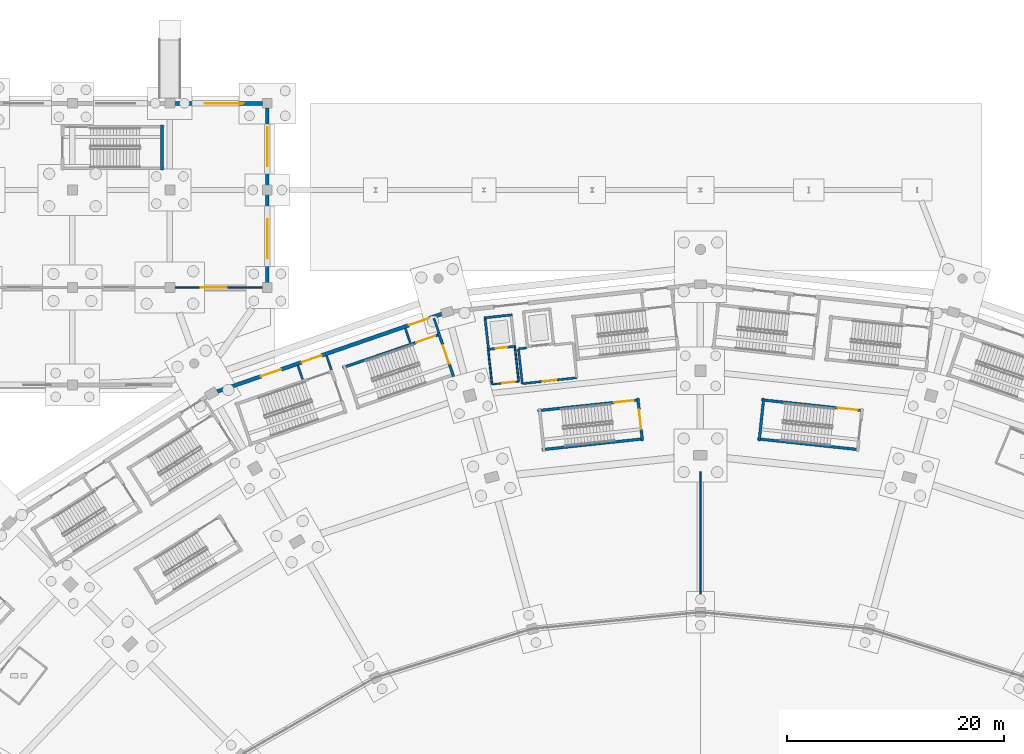
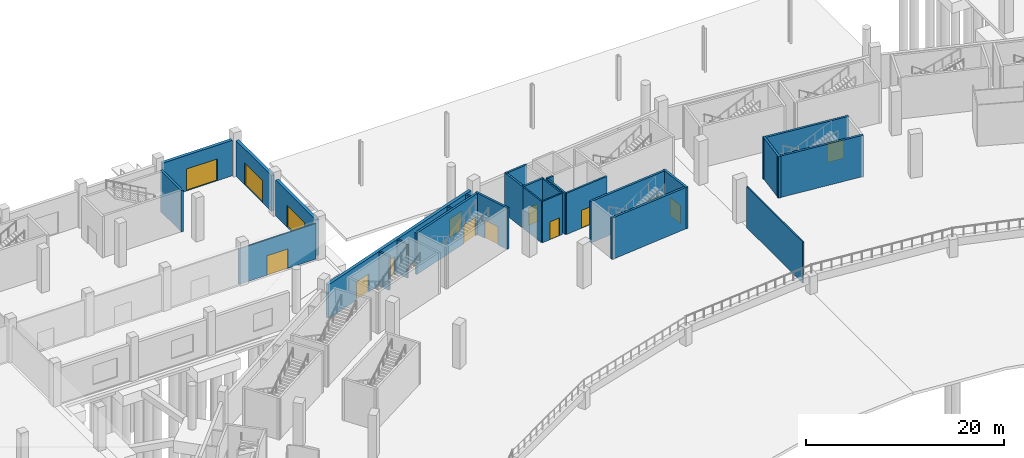
# One storey, part 45 of 103: 28 walls, 15 doors, 15 openings.
"""IFC4 building model written with IfcOpenShell, lengths in metres."""

from ifc_helpers import new_model, si_unit, direction, frame, frame_2d, origin, place, context, subcontext, project, spatial, rectangle, extrude, material, layer, layer_set, type_object, element, fill, save


model = new_model("IFC4")

# Units and contexts
model_context = context("Model", 3, precision=1e-05, world=origin(), true_north=direction((0.0, 1.0)))
body_context = subcontext(model_context, "Body", "Model", "MODEL_VIEW")
ifc_project = project(units=[si_unit("LENGTHUNIT", "METRE"), si_unit("AREAUNIT", "SQUARE_METRE"), si_unit("VOLUMEUNIT", "CUBIC_METRE"), si_unit("PLANEANGLEUNIT", "RADIAN"), si_unit("MASSUNIT", "GRAM", prefix="KILO")], contexts=[model_context])

# Site, building, storey
site_placement = place(None, origin())
site = spatial("IfcSite", under=ifc_project, at=site_placement, CompositionType="ELEMENT")
building_placement = place(site_placement, origin())
building = spatial("IfcBuilding", under=site, at=building_placement, Name="Zevraka Park Crest Stadium", CompositionType="ELEMENT")
storey_placement = place(building_placement, origin())
storey = spatial("IfcBuildingStorey", under=building, at=storey_placement, Name="L00", CompositionType="ELEMENT", Elevation=0.0)

# Wall, openings, doors
ifc_material_1 = material(Name="Limestone and red clay brick masonry", Category="masonry")
ifc_layer_1 = layer(ifc_material_1, 0.35009765625)
ifc_layer_set_1 = layer_set([ifc_layer_1], Name="Limestone and red clay brick masonry")
wall_type_1 = type_object("IfcWallType", Name="EW01", PredefinedType="STANDARD", material=ifc_layer_set_1)
wall_1_placement = place(storey_placement, frame((67.35595703125, 157.386962890625, 0.0), z_axis=(0.0, 0.0, 1.0), x_axis=(0.945215757663, 0.326446276538, 0.0)))
wall_1 = element("IfcWall", 1, at=wall_1_placement, inside=storey, type_object=wall_type_1, Name="L00 Pointed-Arch Colonnade Wall EW01 07", PredefinedType="STANDARD", context=body_context, shape_type="SweptSolid", body=[
    extrude(rectangle(XDim=21.979248046875, YDim=0.35009765625, at=frame_2d((10.98974609375, 0.0))), origin(), (0.0, 0.0, 1.0), 4.1650390625),
])
opening_1_placement = place(wall_1_placement, frame((18.760986328125, 0.0, 0.0)))
opening_1 = element("IfcOpeningElement", 2, at=opening_1_placement, cuts=wall_1, Name="Opening D-L00-EX-ST08", PredefinedType="OPENING", context=body_context, shape_type="SweptSolid", body=[
    extrude(rectangle(XDim=1.949951171875, YDim=2.25, at=frame_2d((0.97509765625, 1.125))), frame((0.0, 0.18505859375, 0.0), z_axis=(0.0, -1.0, 0.0), x_axis=(1.0, 0.0, 0.0)), (0.0, 0.0, 1.0), 0.3701171875),
])
opening_2_placement = place(wall_1_placement, frame((8.260986328125, 0.0, 0.0)))
opening_2 = element("IfcOpeningElement", 3, at=opening_2_placement, cuts=wall_1, Name="Opening D-L00-EX-ST27", PredefinedType="OPENING", context=body_context, shape_type="SweptSolid", body=[
    extrude(rectangle(XDim=1.949951171875, YDim=2.25, at=frame_2d((0.97509765625, 1.125))), frame((0.0, 0.18505859375, 0.0), z_axis=(0.0, -1.0, 0.0), x_axis=(1.0, 0.0, 0.0)), (0.0, 0.0, 1.0), 0.3701171875),
])
opening_3_placement = place(wall_1_placement, frame((4.300048828125, 0.0, 0.0)))
opening_3 = element("IfcOpeningElement", 4, at=opening_3_placement, cuts=wall_1, Name="Opening D-L00-E08", PredefinedType="OPENING", context=body_context, shape_type="SweptSolid", body=[
    extrude(rectangle(XDim=1.949951171875, YDim=2.25, at=frame_2d((0.97509765625, 1.125))), frame((0.0, 0.18505859375, 0.0), z_axis=(0.0, -1.0, 0.0), x_axis=(1.0, 0.0, 0.0)), (0.0, 0.0, 1.0), 0.3701171875),
])
ifc_material_2 = material(Name="Thermally broken architectural aluminium and safety glass", Category="aluminium")
door_type_1 = type_object("IfcDoorType", Name="ED05", OperationType="NOTDEFINED", PredefinedType="DOOR", material=ifc_material_2)
door_1_placement = place(opening_1_placement, origin())
door_1 = element("IfcDoor", 5, at=door_1_placement, inside=storey, type_object=door_type_1, Name="Stair Final Exit Discharge Door D-L00-EX-ST08", OperationType="DOUBLE_DOOR_SINGLE_SWING", OverallHeight=2.25, OverallWidth=1.949951171875, PredefinedType="DOOR", context=body_context, shape_type="SweptSolid", body=[
    extrude(rectangle(XDim=1.949951171875, YDim=2.25, at=frame_2d((0.97509765625, 1.125))), frame((0.0, 0.02490234375, 0.0), z_axis=(0.0, -1.0, 0.0), x_axis=(1.0, 0.0, 0.0)), (0.0, 0.0, 1.0), 0.050048828125),
])
fill(opening_1, door_1)
door_2_placement = place(opening_2_placement, origin())
door_2 = element("IfcDoor", 6, at=door_2_placement, inside=storey, type_object=door_type_1, Name="Stair Final Exit Discharge Door D-L00-EX-ST27", OperationType="DOUBLE_DOOR_SINGLE_SWING", OverallHeight=2.25, OverallWidth=1.949951171875, PredefinedType="DOOR", context=body_context, shape_type="SweptSolid", body=[
    extrude(rectangle(XDim=1.949951171875, YDim=2.25, at=frame_2d((0.97509765625, 1.125))), frame((0.0, 0.02490234375, 0.0), z_axis=(0.0, -1.0, 0.0), x_axis=(1.0, 0.0, 0.0)), (0.0, 0.0, 1.0), 0.050048828125),
])
fill(opening_2, door_2)
door_3_placement = place(opening_3_placement, origin())
door_3 = element("IfcDoor", 7, at=door_3_placement, inside=storey, type_object=door_type_1, Name="Concourse Final Exit E08", OperationType="DOUBLE_DOOR_SINGLE_SWING", OverallHeight=2.25, OverallWidth=1.949951171875, PredefinedType="DOOR", context=body_context, shape_type="SweptSolid", body=[
    extrude(rectangle(XDim=1.949951171875, YDim=2.25, at=frame_2d((0.97509765625, 1.125))), frame((0.0, 0.02490234375, 0.0), z_axis=(0.0, -1.0, 0.0), x_axis=(1.0, 0.0, 0.0)), (0.0, 0.0, 1.0), 0.050048828125),
])
fill(opening_3, door_3)

# Wall, opening, door
wall_2_placement = place(storey_placement, frame((63.425048828125, 184.0, 0.0), z_axis=(0.0, 0.0, 1.0), x_axis=(1.0, 0.0, 0.0)))
wall_2 = element("IfcWall", 8, at=wall_2_placement, inside=storey, type_object=wall_type_1, Name="Wing External Cavity Wall EW01 L00-NW-N-8", PredefinedType="STANDARD", context=body_context, shape_type="SweptSolid", body=[
    extrude(rectangle(XDim=8.14990234375, YDim=0.35009765625, at=frame_2d((4.074951171875, 0.0))), origin(), (0.0, 0.0, 1.0), 4.383544921875),
])
opening_4_placement = place(wall_2_placement, frame((2.77490234375, 0.0, 0.0)))
opening_4 = element("IfcOpeningElement", 9, at=opening_4_placement, cuts=wall_2, Name="Opening D-L00-E47", PredefinedType="OPENING", context=body_context, shape_type="SweptSolid", body=[
    extrude(rectangle(XDim=3.60009765625, YDim=2.699951171875, at=frame_2d((1.800048828125, 1.35009765625))), frame((0.0, 0.18505859375, 0.0), z_axis=(0.0, -1.0, 0.0), x_axis=(1.0, 0.0, 0.0)), (0.0, 0.0, 1.0), 0.3701171875),
])
ifc_material_3 = material(Name="Thermally broken architectural aluminium and safety glass", Category="aluminium")
door_type_2 = type_object("IfcDoorType", Name="ED01", OperationType="NOTDEFINED", PredefinedType="DOOR", material=ifc_material_3)
door_4_placement = place(opening_4_placement, origin())
door_4 = element("IfcDoor", 10, at=door_4_placement, inside=storey, type_object=door_type_2, Name="Concourse Final Exit E47", OperationType="DOUBLE_DOOR_SINGLE_SWING", OverallHeight=2.699951171875, OverallWidth=3.60009765625, PredefinedType="DOOR", context=body_context, shape_type="SweptSolid", body=[
    extrude(rectangle(XDim=3.60009765625, YDim=2.699951171875, at=frame_2d((1.800048828125, 1.35009765625))), frame((0.0, 0.02490234375, 0.0), z_axis=(0.0, -1.0, 0.0), x_axis=(1.0, 0.0, 0.0)), (0.0, 0.0, 1.0), 0.050048828125),
])
fill(opening_4, door_4)

wall_3_placement = place(storey_placement, frame((72.0, 183.574951171875, 0.0), z_axis=(0.0, 0.0, 1.0), x_axis=(0.0, -1.0, 0.0)))
wall_3 = element("IfcWall", 11, at=wall_3_placement, inside=storey, type_object=wall_type_1, Name="Wing External Cavity Wall EW01 L00-NW-E1-1", PredefinedType="STANDARD", context=body_context, shape_type="SweptSolid", body=[
    extrude(rectangle(XDim=7.14990234375, YDim=0.35009765625, at=frame_2d((3.574951171875, 0.0))), origin(), (0.0, 0.0, 1.0), 4.4169921875),
])
opening_5_placement = place(wall_3_placement, frame((1.77490234375, 0.0, 0.0)))
opening_5 = element("IfcOpeningElement", 12, at=opening_5_placement, cuts=wall_3, Name="Opening D-L00-E48", PredefinedType="OPENING", context=body_context, shape_type="SweptSolid", body=[
    extrude(rectangle(XDim=3.60009765625, YDim=2.699951171875, at=frame_2d((1.800048828125, 1.35009765625))), frame((0.0, 0.18505859375, 0.0), z_axis=(0.0, -1.0, 0.0), x_axis=(1.0, 0.0, 0.0)), (0.0, 0.0, 1.0), 0.3701171875),
])
door_5_placement = place(opening_5_placement, origin())
door_5 = element("IfcDoor", 13, at=door_5_placement, inside=storey, type_object=door_type_2, Name="Concourse Final Exit E48", OperationType="DOUBLE_DOOR_SINGLE_SWING", OverallHeight=2.699951171875, OverallWidth=3.60009765625, PredefinedType="DOOR", context=body_context, shape_type="SweptSolid", body=[
    extrude(rectangle(XDim=3.60009765625, YDim=2.699951171875, at=frame_2d((1.800048828125, 1.35009765625))), frame((0.0, 0.02490234375, 0.0), z_axis=(0.0, -1.0, 0.0), x_axis=(1.0, 0.0, 0.0)), (0.0, 0.0, 1.0), 0.050048828125),
])
fill(opening_5, door_5)

wall_4_placement = place(storey_placement, frame((72.0, 175.574951171875, 0.0), z_axis=(0.0, 0.0, 1.0), x_axis=(0.0, -1.0, 0.0)))
wall_4 = element("IfcWall", 14, at=wall_4_placement, inside=storey, type_object=wall_type_1, Name="Wing External Cavity Wall EW01 L00-NW-E1-2", PredefinedType="STANDARD", context=body_context, shape_type="SweptSolid", body=[
    extrude(rectangle(XDim=8.14990234375, YDim=0.35009765625, at=frame_2d((4.074951171875, 0.0))), origin(), (0.0, 0.0, 1.0), 4.4169921875),
])
opening_6_placement = place(wall_4_placement, frame((2.27490234375, 0.0, 0.0)))
opening_6 = element("IfcOpeningElement", 15, at=opening_6_placement, cuts=wall_4, Name="Opening D-L00-E49", PredefinedType="OPENING", context=body_context, shape_type="SweptSolid", body=[
    extrude(rectangle(XDim=3.60009765625, YDim=2.699951171875, at=frame_2d((1.800048828125, 1.35009765625))), frame((0.0, 0.18505859375, 0.0), z_axis=(0.0, -1.0, 0.0), x_axis=(1.0, 0.0, 0.0)), (0.0, 0.0, 1.0), 0.3701171875),
])
door_6_placement = place(opening_6_placement, origin())
door_6 = element("IfcDoor", 16, at=door_6_placement, inside=storey, type_object=door_type_2, Name="Concourse Final Exit E49", OperationType="DOUBLE_DOOR_SINGLE_SWING", OverallHeight=2.699951171875, OverallWidth=3.60009765625, PredefinedType="DOOR", context=body_context, shape_type="SweptSolid", body=[
    extrude(rectangle(XDim=3.60009765625, YDim=2.699951171875, at=frame_2d((1.800048828125, 1.35009765625))), frame((0.0, 0.02490234375, 0.0), z_axis=(0.0, -1.0, 0.0), x_axis=(1.0, 0.0, 0.0)), (0.0, 0.0, 1.0), 0.050048828125),
])
fill(opening_6, door_6)

# Walls
ifc_material_4 = material(Name="Autoclaved aerated masonry blockwork", Category="masonry")
ifc_layer_2 = layer(ifc_material_4, 0.199951171875)
ifc_layer_set_2 = layer_set([ifc_layer_2], Name="Autoclaved aerated masonry blockwork")
wall_type_2 = type_object("IfcWallType", Name="IW01", PredefinedType="PARTITIONING", material=ifc_layer_set_2)
wall_5_placement = place(storey_placement, frame((87.843017578125, 162.814208984375, 0.0), z_axis=(0.0, 0.0, 1.0), x_axis=(-0.326548526872, 0.945180437587, 0.0)))
element("IfcWall", 17, at=wall_5_placement, inside=storey, type_object=wall_type_2, Name="Protected Exit Passageway Wall IW01 ST08-A", PredefinedType="PARTITIONING", context=body_context, shape_type="SweptSolid", body=[
    extrude(rectangle(XDim=1.402587890625, YDim=0.199951171875, at=frame_2d((0.701171875, 0.0))), origin(), (0.0, 0.0, 1.0), 4.1650390625),
])
wall_6_placement = place(storey_placement, frame((85.19384765625, 161.906982421875, 0.0), z_axis=(0.0, 0.0, 1.0), x_axis=(-0.326599813584, 0.945162717085, 0.0)))
element("IfcWall", 18, at=wall_6_placement, inside=storey, type_object=wall_type_2, Name="Protected Exit Passageway Wall IW01 ST08-B", PredefinedType="PARTITIONING", context=body_context, shape_type="SweptSolid", body=[
    extrude(rectangle(XDim=1.3955078125, YDim=0.199951171875, at=frame_2d((0.69775390625, 0.0))), origin(), (0.0, 0.0, 1.0), 4.1650390625),
])
wall_7_placement = place(storey_placement, frame((77.908935546875, 159.4130859375, 0.0), z_axis=(0.0, 0.0, 1.0), x_axis=(-0.326488531048, 0.945201163295, 0.0)))
element("IfcWall", 19, at=wall_7_placement, inside=storey, type_object=wall_type_2, Name="Protected Exit Passageway Wall IW01 ST27-A", PredefinedType="PARTITIONING", context=body_context, shape_type="SweptSolid", body=[
    extrude(rectangle(XDim=1.375244140625, YDim=0.199951171875, at=frame_2d((0.6875, 0.0))), origin(), (0.0, 0.0, 1.0), 4.1650390625),
])
wall_8_placement = place(storey_placement, frame((75.260009765625, 158.506103515625, 0.0), z_axis=(0.0, 0.0, 1.0), x_axis=(-0.326337459961, 0.945253332301, 0.0)))
element("IfcWall", 20, at=wall_8_placement, inside=storey, type_object=wall_type_2, Name="Protected Exit Passageway Wall IW01 ST27-B", PredefinedType="PARTITIONING", context=body_context, shape_type="SweptSolid", body=[
    extrude(rectangle(XDim=1.36669921875, YDim=0.199951171875, at=frame_2d((0.683349609375, 0.0))), origin(), (0.0, 0.0, 1.0), 4.1650390625),
])
wall_9_placement = place(storey_placement, frame((95.195068359375, 161.3349609375, 0.0), z_axis=(0.0, 0.0, 1.0), x_axis=(0.994146742738, 0.108038205757, 0.0)))
element("IfcWall", 21, at=wall_9_placement, inside=storey, type_object=wall_type_2, Name="Firefighting Lift Lobby Wall IW01 FL02 L00 BACKL", PredefinedType="PARTITIONING", context=body_context, shape_type="SweptSolid", body=[
    extrude(rectangle(XDim=0.750244140625, YDim=0.199951171875, at=frame_2d((0.375, 0.0))), origin(), (0.0, 0.0, 1.0), 5.080078125),
])
wall_10_placement = place(storey_placement, frame((95.195068359375, 161.3349609375, 0.0), z_axis=(0.0, 0.0, 1.0), x_axis=(0.108280975823, -0.994120329877, 0.0)))
element("IfcWall", 22, at=wall_10_placement, inside=storey, type_object=wall_type_2, Name="Firefighting Lift Lobby Wall IW01 FL02 L00 LEFT", PredefinedType="PARTITIONING", context=body_context, shape_type="SweptSolid", body=[
    extrude(rectangle(XDim=3.239990234375, YDim=0.199951171875, at=frame_2d((1.6201171875, 0.0))), origin(), (0.0, 0.0, 1.0), 5.080078125),
])

# Wall, opening, door
wall_11_placement = place(storey_placement, frame((95.5458984375, 158.114013671875, 0.0), z_axis=(0.0, 0.0, 1.0), x_axis=(0.994118117986, 0.108301281116, 0.0)))
wall_11 = element("IfcWall", 23, at=wall_11_placement, inside=storey, type_object=wall_type_2, Name="Firefighting Lift Lobby Wall IW01 FL02 L00 FRONT", PredefinedType="PARTITIONING", context=body_context, shape_type="SweptSolid", body=[
    extrude(rectangle(XDim=5.06982421875, YDim=0.199951171875, at=frame_2d((2.534912109375, 0.0))), origin(), (0.0, 0.0, 1.0), 5.080078125),
])
opening_7_placement = place(wall_11_placement, frame((1.909912109375, 0.0, 0.0)))
opening_7 = element("IfcOpeningElement", 24, at=opening_7_placement, cuts=wall_11, Name="Opening D-L00-295", PredefinedType="OPENING", context=body_context, shape_type="SweptSolid", body=[
    extrude(rectangle(XDim=1.25, YDim=2.199951171875, at=frame_2d((0.625, 1.10009765625))), frame((0.0, 0.10986328125, 0.0), z_axis=(0.0, -1.0, 0.0), x_axis=(1.0, 0.0, 0.0)), (0.0, 0.0, 1.0), 0.219970703125),
])
ifc_material_5 = material(Name="Solid-core hardwood timber leaf in steel frame", Category="steel")
door_type_3 = type_object("IfcDoorType", Name="DR07", OperationType="NOTDEFINED", PredefinedType="DOOR", material=ifc_material_5)
door_7_placement = place(opening_7_placement, origin())
door_7 = element("IfcDoor", 25, at=door_7_placement, inside=storey, type_object=door_type_3, Name="Firefighting Lift Lobby FL02 Door D-L00-295", OperationType="SINGLE_SWING_LEFT", OverallHeight=2.199951171875, OverallWidth=1.25, PredefinedType="DOOR", context=body_context, shape_type="SweptSolid", body=[
    extrude(rectangle(XDim=1.25, YDim=2.199951171875, at=frame_2d((0.625, 1.10009765625))), frame((0.0, 0.02490234375, 0.0), z_axis=(0.0, -1.0, 0.0), x_axis=(1.0, 0.0, 0.0)), (0.0, 0.0, 1.0), 0.050048828125),
])
fill(opening_7, door_7)

# Walls
ifc_material_6 = material(Name="Fire-rated twin-stud acoustic drywall", Category="other")
ifc_layer_3 = layer(ifc_material_6, 0.159912109375)
ifc_layer_set_3 = layer_set([ifc_layer_3], Name="Fire-rated twin-stud acoustic drywall")
wall_type_3 = type_object("IfcWallType", Name="IW02", PredefinedType="PARTITIONING", material=ifc_layer_set_3)
wall_12_placement = place(storey_placement, frame((92.403076171875, 161.200927734375, 0.0), z_axis=(0.0, 0.0, 1.0), x_axis=(0.108800302456, -0.99406362683, 0.0)))
element("IfcWall", 26, at=wall_12_placement, inside=storey, type_object=wall_type_3, Name="Passenger Lift Lobby Wall IW02 PL02 L00 LEFT", PredefinedType="PARTITIONING", context=body_context, shape_type="SweptSolid", body=[
    extrude(rectangle(XDim=3.170654296875, YDim=0.159912109375, at=frame_2d((1.58544921875, 0.0))), origin(), (0.0, 0.0, 1.0), 5.080078125),
])
wall_13_placement = place(storey_placement, frame((94.868896484375, 161.469970703125, 0.0), z_axis=(0.0, 0.0, 1.0), x_axis=(0.108909733757, -0.994051643474, 0.0)))
element("IfcWall", 27, at=wall_13_placement, inside=storey, type_object=wall_type_3, Name="Passenger Lift Lobby Wall IW02 PL02 L00 RIGHT", PredefinedType="PARTITIONING", context=body_context, shape_type="SweptSolid", body=[
    extrude(rectangle(XDim=3.169677734375, YDim=0.159912109375, at=frame_2d((1.5849609375, 0.0))), origin(), (0.0, 0.0, 1.0), 5.080078125),
])

# Wall, opening, door
wall_14_placement = place(storey_placement, frame((92.748046875, 158.049072265625, 0.0), z_axis=(0.0, 0.0, 1.0), x_axis=(0.994058887757, 0.1088435927, 0.0)))
wall_14 = element("IfcWall", 28, at=wall_14_placement, inside=storey, type_object=wall_type_3, Name="Passenger Lift Lobby Wall IW02 PL02 L00 FRONT", PredefinedType="PARTITIONING", context=body_context, shape_type="SweptSolid", body=[
    extrude(rectangle(XDim=2.480712890625, YDim=0.159912109375, at=frame_2d((1.240234375, 0.0))), origin(), (0.0, 0.0, 1.0), 5.080078125),
])
opening_8_placement = place(wall_14_placement, frame((0.962890625, 0.0, 0.0)))
opening_8 = element("IfcOpeningElement", 29, at=opening_8_placement, cuts=wall_14, Name="Opening D-L00-301", PredefinedType="OPENING", context=body_context, shape_type="SweptSolid", body=[
    extrude(rectangle(XDim=1.14990234375, YDim=2.199951171875, at=frame_2d((0.574951171875, 1.10009765625))), frame((0.0, 0.08984375, 0.0), z_axis=(0.0, -1.0, 0.0), x_axis=(1.0, 0.0, 0.0)), (0.0, 0.0, 1.0), 0.179931640625),
])
ifc_material_7 = material(Name="Solid-core hardwood timber leaf in steel frame", Category="steel")
door_type_4 = type_object("IfcDoorType", Name="DR03", OperationType="NOTDEFINED", PredefinedType="DOOR", material=ifc_material_7)
door_8_placement = place(opening_8_placement, origin())
door_8 = element("IfcDoor", 30, at=door_8_placement, inside=storey, type_object=door_type_4, Name="Passenger Lift Lobby PL02 Door D-L00-301", OperationType="SINGLE_SWING_LEFT", OverallHeight=2.199951171875, OverallWidth=1.14990234375, PredefinedType="DOOR", context=body_context, shape_type="SweptSolid", body=[
    extrude(rectangle(XDim=1.14990234375, YDim=2.199951171875, at=frame_2d((0.574951171875, 1.10009765625))), frame((0.0, 0.02490234375, 0.0), z_axis=(0.0, -1.0, 0.0), x_axis=(1.0, 0.0, 0.0)), (0.0, 0.0, 1.0), 0.050048828125),
])
fill(opening_8, door_8)

# Wall
ifc_material_8 = material(Name="Fire-rated twin-stud acoustic drywall", Category="other")
ifc_layer_4 = layer(ifc_material_8, 0.139892578125)
ifc_layer_set_4 = layer_set([ifc_layer_4], Name="Fire-rated twin-stud acoustic drywall")
wall_type_4 = type_object("IfcWallType", Name="IW03", PredefinedType="PARTITIONING", material=ifc_layer_set_4)
wall_15_placement = place(storey_placement, frame((112.0, 138.699951171875, 0.0), z_axis=(0.0, 0.0, 1.0), x_axis=(0.0, 1.0, 0.0)))
element("IfcWall", 31, at=wall_15_placement, inside=storey, type_object=wall_type_4, Name="Interior Partition IW03 Visiting Athlete Locker Hall L00", PredefinedType="PARTITIONING", context=body_context, shape_type="SweptSolid", body=[
    extrude(rectangle(XDim=11.300048828125, YDim=0.139892578125, at=frame_2d((5.64990234375, 0.0))), origin(), (0.0, 0.0, 1.0), 5.080078125),
])

# Wall, opening, door
wall_16_placement = place(storey_placement, frame((62.550048828125, 167.0, 0.0), z_axis=(0.0, 0.0, 1.0), x_axis=(1.0, 0.0, 0.0)))
wall_16 = element("IfcWall", 32, at=wall_16_placement, inside=storey, type_object=wall_type_4, Name="Interior Partition IW03 Parkside Pavilion Cafe L00", PredefinedType="PARTITIONING", context=body_context, shape_type="SweptSolid", body=[
    extrude(rectangle(XDim=9.014892578125, YDim=0.139892578125, at=frame_2d((4.50732421875, 0.0))), origin(), (0.0, 0.0, 1.0), 4.383544921875),
])
opening_9_placement = place(wall_16_placement, frame((3.30810546875, 0.0, 0.0)))
opening_9 = element("IfcOpeningElement", 33, at=opening_9_placement, cuts=wall_16, Name="Opening D-L00-364", PredefinedType="OPENING", context=body_context, shape_type="SweptSolid", body=[
    extrude(rectangle(XDim=2.39990234375, YDim=2.39990234375, at=frame_2d((1.199951171875, 1.199951171875))), frame((0.0, 0.079833984375, 0.0), z_axis=(0.0, -1.0, 0.0), x_axis=(1.0, 0.0, 0.0)), (0.0, 0.0, 1.0), 0.159912109375),
])
ifc_material_9 = material(Name="Solid-core hardwood timber leaf in steel frame", Category="steel")
door_type_5 = type_object("IfcDoorType", Name="DR18", OperationType="NOTDEFINED", PredefinedType="DOOR", material=ifc_material_9)
door_9_placement = place(opening_9_placement, origin())
door_9 = element("IfcDoor", 34, at=door_9_placement, inside=storey, type_object=door_type_5, Name="Parkside Pavilion Cafe Door D-L00-364", OperationType="DOUBLE_DOOR_SINGLE_SWING", OverallHeight=2.39990234375, OverallWidth=2.39990234375, PredefinedType="DOOR", context=body_context, shape_type="SweptSolid", body=[
    extrude(rectangle(XDim=2.39990234375, YDim=2.39990234375, at=frame_2d((1.199951171875, 1.199951171875))), frame((0.0, 0.02490234375, 0.0), z_axis=(0.0, -1.0, 0.0), x_axis=(1.0, 0.0, 0.0)), (0.0, 0.0, 1.0), 0.050048828125),
])
fill(opening_9, door_9)

ifc_material_10 = material(Name="Concrete C40/50", Category="concrete")
ifc_layer_5 = layer(ifc_material_10, 0.25)
ifc_layer_set_5 = layer_set([ifc_layer_5], Name="Concrete C40/50")
wall_type_5 = type_object("IfcWallType", Name="SW01", PredefinedType="SHEAR", material=ifc_layer_set_5)
wall_17_placement = place(storey_placement, frame((78.957763671875, 159.591796875, 0.0), z_axis=(0.0, 0.0, 1.0), x_axis=(0.946064424228, 0.323978556712, 0.0)))
wall_17 = element("IfcWall", 35, at=wall_17_placement, inside=storey, type_object=wall_type_5, Name="Stair Core Shear Wall SW01 ST08 L00 left", PredefinedType="SHEAR", context=body_context, shape_type="SweptSolid", body=[
    extrude(rectangle(XDim=9.550048828125, YDim=0.25, at=frame_2d((4.77490234375, 0.0))), origin(), (0.0, 0.0, 1.0), 5.10009765625),
])
opening_10_placement = place(wall_17_placement, frame((7.18994140625, 0.0, 0.0)))
opening_10 = element("IfcOpeningElement", 36, at=opening_10_placement, cuts=wall_17, Name="Opening D-L00-045", PredefinedType="OPENING", context=body_context, shape_type="SweptSolid", body=[
    extrude(rectangle(XDim=1.85009765625, YDim=2.300048828125, at=frame_2d((0.925048828125, 1.14990234375))), frame((0.0, 0.135009765625, 0.0), z_axis=(0.0, -1.0, 0.0), x_axis=(1.0, 0.0, 0.0)), (0.0, 0.0, 1.0), 0.27001953125),
])
ifc_material_11 = material(Name="Solid-core hardwood timber leaf in steel frame", Category="steel")
door_type_6 = type_object("IfcDoorType", Name="DR05", OperationType="NOTDEFINED", PredefinedType="DOOR", material=ifc_material_11)
door_10_placement = place(opening_10_placement, origin())
door_10 = element("IfcDoor", 37, at=door_10_placement, inside=storey, type_object=door_type_6, Name="Stair Exit Discharge Door ST08", OperationType="DOUBLE_DOOR_SINGLE_SWING", OverallHeight=2.300048828125, OverallWidth=1.85009765625, PredefinedType="DOOR", context=body_context, shape_type="SweptSolid", body=[
    extrude(rectangle(XDim=1.85009765625, YDim=2.300048828125, at=frame_2d((0.925048828125, 1.14990234375))), frame((0.0, 0.02490234375, 0.0), z_axis=(0.0, -1.0, 0.0), x_axis=(1.0, 0.0, 0.0)), (0.0, 0.0, 1.0), 0.050048828125),
])
fill(opening_10, door_10)

wall_18_placement = place(storey_placement, frame((89.199462890625, 158.77587890625, 0.0), z_axis=(0.0, 0.0, 1.0), x_axis=(-0.323988758717, 0.946060930504, 0.0)))
wall_18 = element("IfcWall", 38, at=wall_18_placement, inside=storey, type_object=wall_type_5, Name="Stair Core Shear Wall SW01 ST08 L00 near", PredefinedType="SHEAR", context=body_context, shape_type="SweptSolid", body=[
    extrude(rectangle(XDim=4.259765625, YDim=0.25, at=frame_2d((2.1298828125, 0.0))), origin(), (0.0, 0.0, 1.0), 5.10009765625),
])
opening_11_placement = place(wall_18_placement, frame((1.22998046875, 0.0, 0.0)))
opening_11 = element("IfcOpeningElement", 39, at=opening_11_placement, cuts=wall_18, Name="Opening D-L00-044", PredefinedType="OPENING", context=body_context, shape_type="SweptSolid", body=[
    extrude(rectangle(XDim=1.800048828125, YDim=2.25, at=frame_2d((0.89990234375, 1.125))), frame((0.0, 0.135009765625, 0.0), z_axis=(0.0, -1.0, 0.0), x_axis=(1.0, 0.0, 0.0)), (0.0, 0.0, 1.0), 0.27001953125),
])
ifc_material_12 = material(Name="Solid-core hardwood timber leaf in steel frame", Category="steel")
door_type_7 = type_object("IfcDoorType", Name="DR04", OperationType="NOTDEFINED", PredefinedType="DOOR", material=ifc_material_12)
door_11_placement = place(opening_11_placement, origin())
door_11 = element("IfcDoor", 40, at=door_11_placement, inside=storey, type_object=door_type_7, Name="Protected Stair Entry Door ST08 L00", OperationType="DOUBLE_DOOR_SINGLE_SWING", OverallHeight=2.25, OverallWidth=1.800048828125, PredefinedType="DOOR", context=body_context, shape_type="SweptSolid", body=[
    extrude(rectangle(XDim=1.800048828125, YDim=2.25, at=frame_2d((0.89990234375, 1.125))), frame((0.0, 0.02490234375, 0.0), z_axis=(0.0, -1.0, 0.0), x_axis=(1.0, 0.0, 0.0)), (0.0, 0.0, 1.0), 0.050048828125),
])
fill(opening_11, door_11)

wall_19_placement = place(storey_placement, frame((117.63916015625, 156.620361328125, 0.0), z_axis=(0.0, 0.0, 1.0), x_axis=(0.994382608826, -0.105845298736, 0.0)))
wall_19 = element("IfcWall", 41, at=wall_19_placement, inside=storey, type_object=wall_type_5, Name="Stair Core Shear Wall SW01 ST35 L00 left", PredefinedType="SHEAR", context=body_context, shape_type="SweptSolid", body=[
    extrude(rectangle(XDim=9.449951171875, YDim=0.25, at=frame_2d((4.72509765625, 0.0))), origin(), (0.0, 0.0, 1.0), 5.10009765625),
])
opening_12_placement = place(wall_19_placement, frame((7.090087890625, 0.0, 0.0)))
opening_12 = element("IfcOpeningElement", 42, at=opening_12_placement, cuts=wall_19, Name="Opening D-L00-194", PredefinedType="OPENING", context=body_context, shape_type="SweptSolid", body=[
    extrude(rectangle(XDim=1.85009765625, YDim=2.300048828125, at=frame_2d((0.925048828125, 1.14990234375))), frame((0.0, 0.135009765625, 0.0), z_axis=(0.0, -1.0, 0.0), x_axis=(1.0, 0.0, 0.0)), (0.0, 0.0, 1.0), 0.27001953125),
])
door_12_placement = place(opening_12_placement, origin())
door_12 = element("IfcDoor", 43, at=door_12_placement, inside=storey, type_object=door_type_6, Name="Stair Exit Discharge Door ST35", OperationType="DOUBLE_DOOR_SINGLE_SWING", OverallHeight=2.300048828125, OverallWidth=1.85009765625, PredefinedType="DOOR", context=body_context, shape_type="SweptSolid", body=[
    extrude(rectangle(XDim=1.85009765625, YDim=2.300048828125, at=frame_2d((0.925048828125, 1.14990234375))), frame((0.0, 0.02490234375, 0.0), z_axis=(0.0, -1.0, 0.0), x_axis=(1.0, 0.0, 0.0)), (0.0, 0.0, 1.0), 0.050048828125),
])
fill(opening_12, door_12)

# Walls
wall_20_placement = place(storey_placement, frame((117.255859375, 153.020751953125, 0.0), z_axis=(0.0, 0.0, 1.0), x_axis=(0.994382608826, -0.105845298736, 0.0)))
element("IfcWall", 44, at=wall_20_placement, inside=storey, type_object=wall_type_5, Name="Stair Core Shear Wall SW01 ST35 L00 right", PredefinedType="SHEAR", context=body_context, shape_type="SweptSolid", body=[
    extrude(rectangle(XDim=9.449951171875, YDim=0.25, at=frame_2d((4.72509765625, 0.0))), origin(), (0.0, 0.0, 1.0), 5.10009765625),
])
wall_21_placement = place(storey_placement, frame((117.841064453125, 156.769775390625, 0.0), z_axis=(0.0, 0.0, 1.0), x_axis=(-0.105856095603, -0.994381459513, 0.0)))
element("IfcWall", 45, at=wall_21_placement, inside=storey, type_object=wall_type_5, Name="Stair Core Shear Wall SW01 ST35 L00 far", PredefinedType="SHEAR", context=body_context, shape_type="SweptSolid", body=[
    extrude(rectangle(XDim=3.9599609375, YDim=0.25, at=frame_2d((1.97998046875, 0.0))), origin(), (0.0, 0.0, 1.0), 5.10009765625),
])

# Wall, opening, door
wall_22_placement = place(storey_placement, frame((96.964111328125, 155.61962890625, 0.0), z_axis=(0.0, 0.0, 1.0), x_axis=(0.994379889371, 0.105870844028, 0.0)))
wall_22 = element("IfcWall", 46, at=wall_22_placement, inside=storey, type_object=wall_type_5, Name="Stair Core Shear Wall SW01 ST36 L00 left", PredefinedType="SHEAR", context=body_context, shape_type="SweptSolid", body=[
    extrude(rectangle(XDim=9.4501953125, YDim=0.25, at=frame_2d((4.72509765625, 0.0))), origin(), (0.0, 0.0, 1.0), 5.10009765625),
])
opening_13_placement = place(wall_22_placement, frame((7.090087890625, 0.0, 0.0)))
opening_13 = element("IfcOpeningElement", 47, at=opening_13_placement, cuts=wall_22, Name="Opening D-L00-198", PredefinedType="OPENING", context=body_context, shape_type="SweptSolid", body=[
    extrude(rectangle(XDim=1.85009765625, YDim=2.300048828125, at=frame_2d((0.925048828125, 1.14990234375))), frame((0.0, 0.135009765625, 0.0), z_axis=(0.0, -1.0, 0.0), x_axis=(1.0, 0.0, 0.0)), (0.0, 0.0, 1.0), 0.27001953125),
])
door_13_placement = place(opening_13_placement, origin())
door_13 = element("IfcDoor", 48, at=door_13_placement, inside=storey, type_object=door_type_6, Name="Stair Exit Discharge Door ST36", OperationType="DOUBLE_DOOR_SINGLE_SWING", OverallHeight=2.300048828125, OverallWidth=1.85009765625, PredefinedType="DOOR", context=body_context, shape_type="SweptSolid", body=[
    extrude(rectangle(XDim=1.85009765625, YDim=2.300048828125, at=frame_2d((0.925048828125, 1.14990234375))), frame((0.0, 0.02490234375, 0.0), z_axis=(0.0, -1.0, 0.0), x_axis=(1.0, 0.0, 0.0)), (0.0, 0.0, 1.0), 0.050048828125),
])
fill(opening_13, door_13)

# Wall
wall_23_placement = place(storey_placement, frame((97.347412109375, 152.02001953125, 0.0), z_axis=(0.0, 0.0, 1.0), x_axis=(0.994382608826, 0.105845298736, 0.0)))
element("IfcWall", 49, at=wall_23_placement, inside=storey, type_object=wall_type_5, Name="Stair Core Shear Wall SW01 ST36 L00 right", PredefinedType="SHEAR", context=body_context, shape_type="SweptSolid", body=[
    extrude(rectangle(XDim=9.449951171875, YDim=0.25, at=frame_2d((4.72509765625, 0.0))), origin(), (0.0, 0.0, 1.0), 5.10009765625),
])

# Wall, opening, door
wall_24_placement = place(storey_placement, frame((106.637939453125, 152.838134765625, 0.0), z_axis=(0.0, 0.0, 1.0), x_axis=(-0.105856095603, 0.994381459513, 0.0)))
wall_24 = element("IfcWall", 50, at=wall_24_placement, inside=storey, type_object=wall_type_5, Name="Stair Core Shear Wall SW01 ST36 L00 near", PredefinedType="SHEAR", context=body_context, shape_type="SweptSolid", body=[
    extrude(rectangle(XDim=3.9599609375, YDim=0.25, at=frame_2d((1.97998046875, 0.0))), origin(), (0.0, 0.0, 1.0), 5.10009765625),
])
opening_14_placement = place(wall_24_placement, frame((1.080078125, 0.0, 0.0)))
opening_14 = element("IfcOpeningElement", 51, at=opening_14_placement, cuts=wall_24, Name="Opening D-L00-197", PredefinedType="OPENING", context=body_context, shape_type="SweptSolid", body=[
    extrude(rectangle(XDim=1.800048828125, YDim=2.25, at=frame_2d((0.89990234375, 1.125))), frame((0.0, 0.135009765625, 0.0), z_axis=(0.0, -1.0, 0.0), x_axis=(1.0, 0.0, 0.0)), (0.0, 0.0, 1.0), 0.27001953125),
])
door_14_placement = place(opening_14_placement, origin())
door_14 = element("IfcDoor", 52, at=door_14_placement, inside=storey, type_object=door_type_7, Name="Protected Stair Entry Door ST36 L00", OperationType="DOUBLE_DOOR_SINGLE_SWING", OverallHeight=2.25, OverallWidth=1.800048828125, PredefinedType="DOOR", context=body_context, shape_type="SweptSolid", body=[
    extrude(rectangle(XDim=1.800048828125, YDim=2.25, at=frame_2d((0.89990234375, 1.125))), frame((0.0, 0.02490234375, 0.0), z_axis=(0.0, -1.0, 0.0), x_axis=(1.0, 0.0, 0.0)), (0.0, 0.0, 1.0), 0.050048828125),
])
fill(opening_14, door_14)

# Walls
wall_25_placement = place(storey_placement, frame((62.264892578125, 177.840087890625, 0.0), z_axis=(0.0, 0.0, 1.0), x_axis=(0.0, 1.0, 0.0)))
element("IfcWall", 53, at=wall_25_placement, inside=storey, type_object=wall_type_5, Name="Stair Core Shear Wall SW01 ST50 L00 far", PredefinedType="SHEAR", context=body_context, shape_type="SweptSolid", body=[
    extrude(rectangle(XDim=4.159912109375, YDim=0.25, at=frame_2d((2.080078125, 0.0))), origin(), (0.0, 0.0, 1.0), 5.10009765625),
])
ifc_material_13 = material(Name="Concrete C40/50", Category="concrete")
ifc_layer_6 = layer(ifc_material_13, 0.219970703125)
ifc_layer_set_6 = layer_set([ifc_layer_6], Name="Concrete C40/50")
wall_type_6 = type_object("IfcWallType", Name="SW02", PredefinedType="SHEAR", material=ifc_layer_set_6)
wall_26_placement = place(storey_placement, frame((94.62109375, 164.470947265625, 0.0), z_axis=(0.0, 0.0, 1.0), x_axis=(-0.994072941705, -0.108715162556, 0.0)))
element("IfcWall", 54, at=wall_26_placement, inside=storey, type_object=wall_type_6, Name="Lift Shaft Shear Wall SW02 PL02 L00-1", PredefinedType="SHEAR", context=body_context, shape_type="SweptSolid", body=[
    extrude(rectangle(XDim=2.638671875, YDim=0.219970703125, at=frame_2d((1.3193359375, 0.0))), origin(), (0.0, 0.0, 1.0), 5.10009765625),
])
wall_27_placement = place(storey_placement, frame((92.094970703125, 164.304931640625, 0.0), z_axis=(0.0, 0.0, 1.0), x_axis=(0.108638937738, -0.99408127495, 0.0)))
element("IfcWall", 55, at=wall_27_placement, inside=storey, type_object=wall_type_6, Name="Lift Shaft Shear Wall SW02 PL02 L00-2", PredefinedType="SHEAR", context=body_context, shape_type="SweptSolid", body=[
    extrude(rectangle(XDim=3.139404296875, YDim=0.219970703125, at=frame_2d((1.56982421875, 0.0))), origin(), (0.0, 0.0, 1.0), 5.10009765625),
])

# Wall, opening, door
wall_28_placement = place(storey_placement, frame((92.31494140625, 161.281005859375, 0.0), z_axis=(0.0, 0.0, 1.0), x_axis=(0.994062938508, 0.108806591184, 0.0)))
wall_28 = element("IfcWall", 56, at=wall_28_placement, inside=storey, type_object=wall_type_6, Name="Lift Shaft Shear Wall SW02 PL02 L00-3", PredefinedType="SHEAR", context=body_context, shape_type="SweptSolid", body=[
    extrude(rectangle(XDim=2.638671875, YDim=0.219970703125, at=frame_2d((1.3193359375, 0.0))), origin(), (0.0, 0.0, 1.0), 5.10009765625),
])
opening_15_placement = place(wall_28_placement, frame((0.76904296875, 0.0, 0.0)))
opening_15 = element("IfcOpeningElement", 57, at=opening_15_placement, cuts=wall_28, Name="Opening LD-PL02-L00", PredefinedType="OPENING", context=body_context, shape_type="SweptSolid", body=[
    extrude(rectangle(XDim=1.10009765625, YDim=2.14990234375, at=frame_2d((0.550048828125, 1.074951171875))), frame((0.0, 0.119873046875, 0.0), z_axis=(0.0, -1.0, 0.0), x_axis=(1.0, 0.0, 0.0)), (0.0, 0.0, 1.0), 0.239990234375),
])
ifc_material_14 = material(Name="Brushed stainless steel lift landing doors", Category="steel")
door_type_8 = type_object("IfcDoorType", Name="LD02", OperationType="NOTDEFINED", PredefinedType="DOOR", material=ifc_material_14)
door_15_placement = place(opening_15_placement, origin())
door_15 = element("IfcDoor", 58, at=door_15_placement, inside=storey, type_object=door_type_8, Name="Lift Sliding Landing Door LD-PL02-L00", OperationType="SLIDING_TO_LEFT", OverallHeight=2.14990234375, OverallWidth=1.10009765625, PredefinedType="DOOR", context=body_context, shape_type="SweptSolid", body=[
    extrude(rectangle(XDim=1.10009765625, YDim=2.14990234375, at=frame_2d((0.550048828125, 1.074951171875))), frame((0.0, 0.02490234375, 0.0), z_axis=(0.0, -1.0, 0.0), x_axis=(1.0, 0.0, 0.0)), (0.0, 0.0, 1.0), 0.050048828125),
])
fill(opening_15, door_15)

save(model, "model.ifc")
